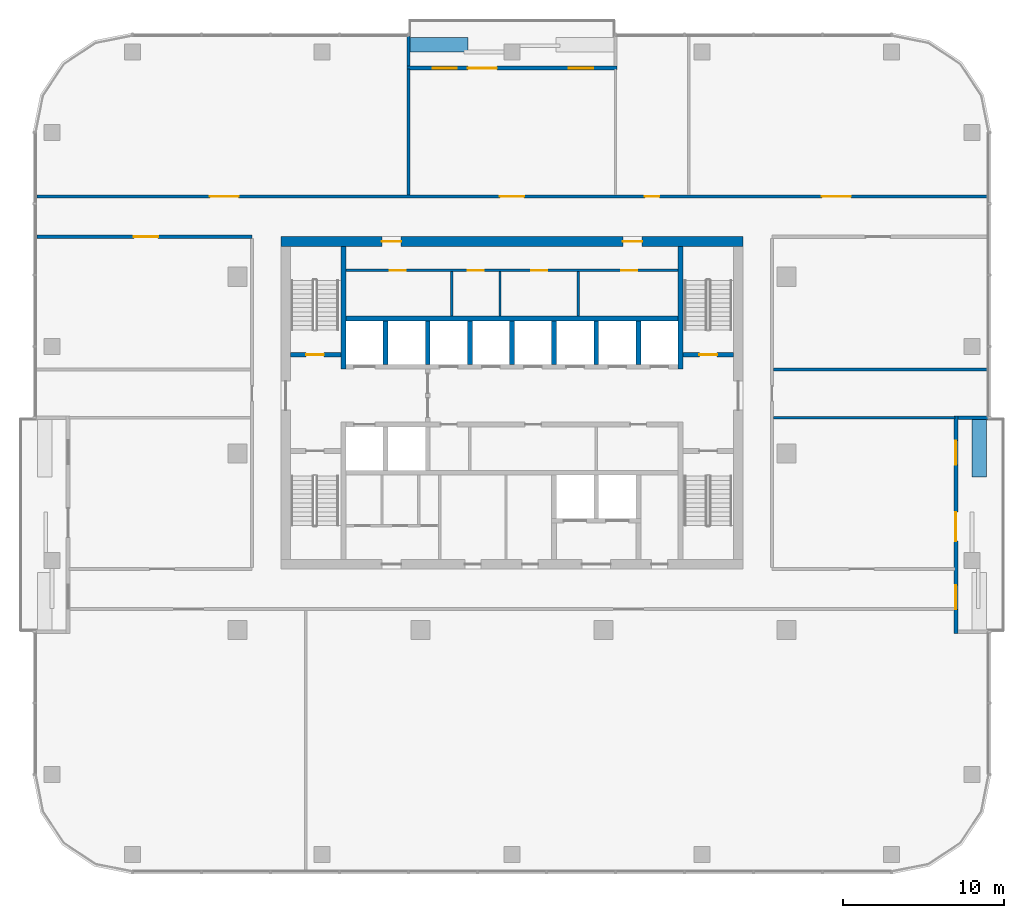
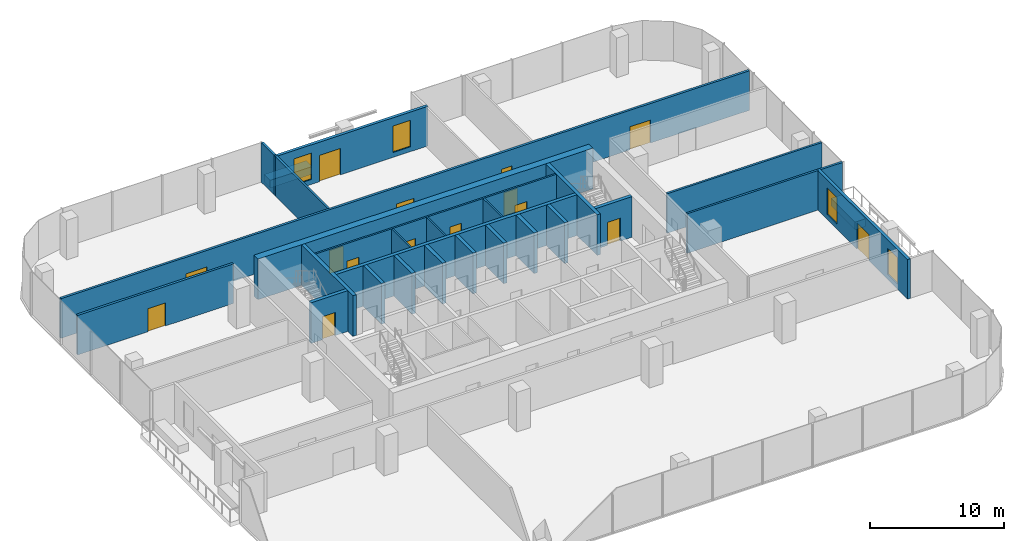
# One storey, part 9 of 13: 28 walls, 15 doors, 4 windows, 19 openings.
"""IFC4 building model written with IfcOpenShell, lengths in metres."""

from ifc_helpers import new_model, si_unit, direction, frame, frame_2d, origin, place, context, subcontext, project, spatial, rectangle, extrude, material, layer, layer_set, type_object, element, fill, save


model = new_model("IFC4")

# Units and contexts
model_context = context("Model", 3, precision=1e-05, world=origin(), true_north=direction((0.0, 1.0)))
body_context = subcontext(model_context, "Body", "Model", "MODEL_VIEW")
ifc_project = project(units=[si_unit("LENGTHUNIT", "METRE"), si_unit("AREAUNIT", "SQUARE_METRE"), si_unit("VOLUMEUNIT", "CUBIC_METRE"), si_unit("PLANEANGLEUNIT", "RADIAN"), si_unit("MASSUNIT", "GRAM", prefix="KILO")], contexts=[model_context])

# Site, building, storey
site_placement = place(None, origin())
site = spatial("IfcSite", under=ifc_project, at=site_placement, CompositionType="ELEMENT")
building_placement = place(site_placement, origin())
building = spatial("IfcBuilding", under=site, at=building_placement, Name="Mopane Tessera Tower", CompositionType="ELEMENT")
storey_placement = place(building_placement, frame((0.0, 0.0, 283.39990234375)))
storey = spatial("IfcBuildingStorey", under=building, at=storey_placement, Name="L61", CompositionType="ELEMENT", Elevation=283.39990234375)

# Walls
ifc_material_1 = material(Name="Fire-rated gypsum board partition")
ifc_layer_1 = layer(ifc_material_1, 0.14990234375)
ifc_layer_set_1 = layer_set([ifc_layer_1], Name="Fire-rated gypsum board partition")
wall_type_1 = type_object("IfcWallType", Name="Core room partition 150 mm", PredefinedType="PARTITIONING", material=ifc_layer_set_1)
for number, where, z_axis, x_axis, name in (
    (1, (-3.75, 8.550048828125, 0.0), (0.0, 0.0, 1.0), (0.0, 1.0, 0.0), "L61 Room partition"),
    (2, (-0.75, 8.550048828125, 0.0), (0.0, 0.0, 1.0), (0.0, 1.0, 0.0), "L61 Room partition"),
    (3, (4.125, 8.550048828125, 0.0), (0.0, 0.0, 1.0), (0.0, 1.0, 0.0), "L61 Room partition"),
):
    element("IfcWall", number, at=place(storey_placement, frame(where, z_axis=z_axis, x_axis=x_axis)), inside=storey, type_object=wall_type_1, Name=name, PredefinedType="PARTITIONING", context=body_context, shape_type="SweptSolid", body=[
        extrude(rectangle(XDim=2.77490234375, YDim=0.14990234375, at=frame_2d((1.387451171875, 0.0))), origin(), (0.0, 0.0, 1.0), 3.7001953125),
    ])

# Wall, openings, doors
wall_1_placement = place(storey_placement, frame((-10.35009765625, 11.39990234375, 0.0), z_axis=(0.0, 0.0, 1.0), x_axis=(1.0, 0.0, 0.0)))
wall_1 = element("IfcWall", 4, at=wall_1_placement, inside=storey, type_object=wall_type_1, Name="L61 Corridor wall", PredefinedType="PARTITIONING", context=body_context, shape_type="SweptSolid", body=[
    extrude(rectangle(XDim=20.7001953125, YDim=0.14990234375, at=frame_2d((10.35009765625, 0.0))), origin(), (0.0, 0.0, 1.0), 3.7001953125),
])
opening_1_placement = place(wall_1_placement, frame((2.72509765625, 0.0, 0.0)))
opening_1 = element("IfcOpeningElement", 5, at=opening_1_placement, cuts=wall_1, Name="Opening RD1", PredefinedType="OPENING", context=body_context, shape_type="SweptSolid", body=[
    extrude(rectangle(XDim=1.0, YDim=2.10009765625, at=frame_2d((0.5, 1.050048828125))), frame((0.0, 0.0869140625, 0.0), z_axis=(0.0, -1.0, 0.0), x_axis=(1.0, 0.0, 0.0)), (0.0, 0.0, 1.0), 0.173828125),
])
opening_2_placement = place(wall_1_placement, frame((7.60009765625, 0.0, 0.0)))
opening_2 = element("IfcOpeningElement", 6, at=opening_2_placement, cuts=wall_1, Name="Opening RD1", PredefinedType="OPENING", context=body_context, shape_type="SweptSolid", body=[
    extrude(rectangle(XDim=1.0, YDim=2.10009765625, at=frame_2d((0.5, 1.050048828125))), frame((0.0, 0.0869140625, 0.0), z_axis=(0.0, -1.0, 0.0), x_axis=(1.0, 0.0, 0.0)), (0.0, 0.0, 1.0), 0.173828125),
])
opening_3_placement = place(wall_1_placement, frame((11.53759765625, 0.0, 0.0)))
opening_3 = element("IfcOpeningElement", 7, at=opening_3_placement, cuts=wall_1, Name="Opening RD1", PredefinedType="OPENING", context=body_context, shape_type="SweptSolid", body=[
    extrude(rectangle(XDim=1.0, YDim=2.10009765625, at=frame_2d((0.5, 1.050048828125))), frame((0.0, 0.0869140625, 0.0), z_axis=(0.0, -1.0, 0.0), x_axis=(1.0, 0.0, 0.0)), (0.0, 0.0, 1.0), 0.173828125),
])
opening_4_placement = place(wall_1_placement, frame((17.16259765625, 0.0, 0.0)))
opening_4 = element("IfcOpeningElement", 8, at=opening_4_placement, cuts=wall_1, Name="Opening RD1", PredefinedType="OPENING", context=body_context, shape_type="SweptSolid", body=[
    extrude(rectangle(XDim=1.0, YDim=2.10009765625, at=frame_2d((0.5, 1.050048828125))), frame((0.0, 0.0869140625, 0.0), z_axis=(0.0, -1.0, 0.0), x_axis=(1.0, 0.0, 0.0)), (0.0, 0.0, 1.0), 0.173828125),
])
ifc_material_2 = material(Name="Timber door", Category="wood")
door_type_1 = type_object("IfcDoorType", Name="Core room door 1000 x 2100", OperationType="SINGLE_SWING_LEFT", PredefinedType="DOOR", material=ifc_material_2)
door_1_placement = place(opening_1_placement, origin())
door_1 = element("IfcDoor", 9, at=door_1_placement, inside=storey, type_object=door_type_1, Name="L61 Room door", OperationType="SINGLE_SWING_LEFT", OverallHeight=2.10009765625, OverallWidth=1.0, PredefinedType="DOOR", context=body_context, shape_type="SweptSolid", body=[
    extrude(rectangle(XDim=1.0, YDim=2.10009765625, at=frame_2d((0.5, 1.050048828125))), frame((0.0, 0.02490234375, 0.0), z_axis=(0.0, -1.0, 0.0), x_axis=(1.0, 0.0, 0.0)), (0.0, 0.0, 1.0), 0.050048828125),
])
fill(opening_1, door_1)
door_2_placement = place(opening_2_placement, origin())
door_2 = element("IfcDoor", 10, at=door_2_placement, inside=storey, type_object=door_type_1, Name="L61 Room door", OperationType="SINGLE_SWING_LEFT", OverallHeight=2.10009765625, OverallWidth=1.0, PredefinedType="DOOR", context=body_context, shape_type="SweptSolid", body=[
    extrude(rectangle(XDim=1.0, YDim=2.10009765625, at=frame_2d((0.5, 1.050048828125))), frame((0.0, 0.02490234375, 0.0), z_axis=(0.0, -1.0, 0.0), x_axis=(1.0, 0.0, 0.0)), (0.0, 0.0, 1.0), 0.050048828125),
])
fill(opening_2, door_2)
door_3_placement = place(opening_3_placement, origin())
door_3 = element("IfcDoor", 11, at=door_3_placement, inside=storey, type_object=door_type_1, Name="L61 Room door", OperationType="SINGLE_SWING_LEFT", OverallHeight=2.10009765625, OverallWidth=1.0, PredefinedType="DOOR", context=body_context, shape_type="SweptSolid", body=[
    extrude(rectangle(XDim=1.0, YDim=2.10009765625, at=frame_2d((0.5, 1.050048828125))), frame((0.0, 0.02490234375, 0.0), z_axis=(0.0, -1.0, 0.0), x_axis=(1.0, 0.0, 0.0)), (0.0, 0.0, 1.0), 0.050048828125),
])
fill(opening_3, door_3)
door_4_placement = place(opening_4_placement, origin())
door_4 = element("IfcDoor", 12, at=door_4_placement, inside=storey, type_object=door_type_1, Name="L61 Room door", OperationType="SINGLE_SWING_LEFT", OverallHeight=2.10009765625, OverallWidth=1.0, PredefinedType="DOOR", context=body_context, shape_type="SweptSolid", body=[
    extrude(rectangle(XDim=1.0, YDim=2.10009765625, at=frame_2d((0.5, 1.050048828125))), frame((0.0, 0.02490234375, 0.0), z_axis=(0.0, -1.0, 0.0), x_axis=(1.0, 0.0, 0.0)), (0.0, 0.0, 1.0), 0.050048828125),
])
fill(opening_4, door_4)

ifc_material_3 = material(Name="Concrete C70/85", Category="concrete")
ifc_layer_2 = layer(ifc_material_3, 0.60009765625)
ifc_layer_set_2 = layer_set([ifc_layer_2], Name="Concrete C70/85")
wall_type_2 = type_object("IfcWallType", Name="Core shear wall 600 mm", PredefinedType="SHEAR", material=ifc_layer_set_2)
wall_2_placement = place(storey_placement, frame((-14.39990234375, 13.199951171875, 0.0), z_axis=(0.0, 0.0, 1.0), x_axis=(1.0, 0.0, 0.0)))
wall_2 = element("IfcWall", 13, at=wall_2_placement, inside=storey, type_object=wall_type_2, Name="L61 Core wall north", PredefinedType="SHEAR", context=body_context, shape_type="SweptSolid", body=[
    extrude(rectangle(XDim=28.7998046875, YDim=0.60009765625, at=frame_2d((14.39990234375, 0.0))), origin(), (0.0, 0.0, 1.0), 3.7001953125),
])
opening_5_placement = place(wall_2_placement, frame((6.300048828125, 0.0, 0.0)))
opening_5 = element("IfcOpeningElement", 14, at=opening_5_placement, cuts=wall_2, Name="Opening RD2", PredefinedType="OPENING", context=body_context, shape_type="SweptSolid", body=[
    extrude(rectangle(XDim=1.199951171875, YDim=2.10009765625, at=frame_2d((0.60009765625, 1.050048828125))), frame((0.0, 0.31201171875, 0.0), z_axis=(0.0, -1.0, 0.0), x_axis=(1.0, 0.0, 0.0)), (0.0, 0.0, 1.0), 0.6240234375),
])
opening_6_placement = place(wall_2_placement, frame((21.300048828125, 0.0, 0.0)))
opening_6 = element("IfcOpeningElement", 15, at=opening_6_placement, cuts=wall_2, Name="Opening RD2", PredefinedType="OPENING", context=body_context, shape_type="SweptSolid", body=[
    extrude(rectangle(XDim=1.199951171875, YDim=2.10009765625, at=frame_2d((0.60009765625, 1.050048828125))), frame((0.0, 0.31201171875, 0.0), z_axis=(0.0, -1.0, 0.0), x_axis=(1.0, 0.0, 0.0)), (0.0, 0.0, 1.0), 0.6240234375),
])
ifc_material_4 = material(Name="Timber door", Category="wood")
door_type_2 = type_object("IfcDoorType", Name="Core corridor door 1200 x 2100", OperationType="SINGLE_SWING_LEFT", PredefinedType="DOOR", material=ifc_material_4)
door_5_placement = place(opening_5_placement, origin())
door_5 = element("IfcDoor", 16, at=door_5_placement, inside=storey, type_object=door_type_2, Name="L61 Corridor door", OperationType="SINGLE_SWING_LEFT", OverallHeight=2.10009765625, OverallWidth=1.199951171875, PredefinedType="DOOR", context=body_context, shape_type="SweptSolid", body=[
    extrude(rectangle(XDim=1.199951171875, YDim=2.10009765625, at=frame_2d((0.60009765625, 1.050048828125))), frame((0.0, 0.02490234375, 0.0), z_axis=(0.0, -1.0, 0.0), x_axis=(1.0, 0.0, 0.0)), (0.0, 0.0, 1.0), 0.050048828125),
])
fill(opening_5, door_5)
door_6_placement = place(opening_6_placement, origin())
door_6 = element("IfcDoor", 17, at=door_6_placement, inside=storey, type_object=door_type_2, Name="L61 Corridor door", OperationType="SINGLE_SWING_RIGHT", OverallHeight=2.10009765625, OverallWidth=1.199951171875, PredefinedType="DOOR", context=body_context, shape_type="SweptSolid", body=[
    extrude(rectangle(XDim=1.199951171875, YDim=2.10009765625, at=frame_2d((0.60009765625, 1.050048828125))), frame((0.0, 0.02490234375, 0.0), z_axis=(0.0, -1.0, 0.0), x_axis=(1.0, 0.0, 0.0)), (0.0, 0.0, 1.0), 0.050048828125),
])
fill(opening_6, door_6)

# Walls
ifc_material_5 = material(Name="Concrete C60/75", Category="concrete")
ifc_layer_3 = layer(ifc_material_5, 0.300048828125)
ifc_layer_set_3 = layer_set([ifc_layer_3], Name="Concrete C60/75")
wall_type_3 = type_object("IfcWallType", Name="Core spine wall 300 mm", PredefinedType="SHEAR", material=ifc_layer_set_3)
for number, where, z_axis, x_axis, name in (
    (18, (-10.5, 5.25, 0.0), (0.0, 0.0, 1.0), (0.0, 1.0, 0.0), "L61 Core spine wall"),
    (19, (10.5, 5.25, 0.0), (0.0, 0.0, 1.0), (0.0, 1.0, 0.0), "L61 Core spine wall"),
):
    element("IfcWall", number, at=place(storey_placement, frame(where, z_axis=z_axis, x_axis=x_axis)), inside=storey, type_object=wall_type_3, Name=name, PredefinedType="SHEAR", context=body_context, shape_type="SweptSolid", body=[
        extrude(rectangle(XDim=7.64990234375, YDim=0.300048828125, at=frame_2d((3.824951171875, 0.0))), origin(), (0.0, 0.0, 1.0), 3.7001953125),
    ])
ifc_material_6 = material(Name="Gypsum board on staggered steel studs, double layer each face, acoustic mineral wool infill", Category="steel")
ifc_layer_4 = layer(ifc_material_6, 0.175048828125)
ifc_layer_set_4 = layer_set([ifc_layer_4], Name="Gypsum board on staggered steel studs, double layer each face, acoustic mineral wool infill")
wall_type_4 = type_object("IfcWallType", Name="Gypsum board acoustic partition 175, rated EI 60", PredefinedType="PARTITIONING", material=ifc_layer_set_4)
wall_3_placement = place(storey_placement, frame((16.300048828125, 2.219970703125, 0.0), z_axis=(0.0, 0.0, 1.0), x_axis=(1.0, 0.0, 0.0)))
element("IfcWall", 20, at=wall_3_placement, inside=storey, type_object=wall_type_4, Name="Partition L61:004", PredefinedType="PARTITIONING", context=body_context, shape_type="SweptSolid", body=[
    extrude(rectangle(XDim=11.300048828125, YDim=0.175048828125, at=frame_2d((5.64990234375, 0.0))), origin(), (0.0, 0.0, 1.0), 3.60009765625),
])
wall_4_placement = place(storey_placement, frame((16.300048828125, 5.219970703125, 0.0), z_axis=(0.0, 0.0, 1.0), x_axis=(1.0, 0.0, 0.0)))
element("IfcWall", 21, at=wall_4_placement, inside=storey, type_object=wall_type_4, Name="Partition L61:006", PredefinedType="PARTITIONING", context=body_context, shape_type="SweptSolid", body=[
    extrude(rectangle(XDim=13.300048828125, YDim=0.175048828125, at=frame_2d((6.64990234375, 0.0))), origin(), (0.0, 0.0, 1.0), 3.60009765625),
])
wall_5_placement = place(storey_placement, frame((-6.449951171875, 16.10009765625, 0.0), z_axis=(0.0, 0.0, 1.0), x_axis=(0.0, 1.0, 0.0)))
element("IfcWall", 22, at=wall_5_placement, inside=storey, type_object=wall_type_4, Name="Partition L61:012", PredefinedType="PARTITIONING", context=body_context, shape_type="SweptSolid", body=[
    extrude(rectangle(XDim=7.849853515625, YDim=0.175048828125, at=frame_2d((3.9248046875, 0.0))), origin(), (0.0, 0.0, 1.0), 3.60009765625),
])

# Wall, opening, door
ifc_material_7 = material(Name="Gypsum board on steel studs, two layers each face, mineral wool infill", Category="steel")
ifc_layer_5 = layer(ifc_material_7, 0.199951171875)
ifc_layer_set_5 = layer_set([ifc_layer_5], Name="Gypsum board on steel studs, two layers each face, mineral wool infill")
wall_type_5 = type_object("IfcWallType", Name="Gypsum board corridor wall 200, rated EI 60", PredefinedType="PARTITIONING", material=ifc_layer_set_5)
wall_6_placement = place(storey_placement, frame((-29.60009765625, 13.5, 0.0), z_axis=(0.0, 0.0, 1.0), x_axis=(1.0, 0.0, 0.0)))
wall_6 = element("IfcWall", 23, at=wall_6_placement, inside=storey, type_object=wall_type_5, Name="Partition L61:007", PredefinedType="PARTITIONING", context=body_context, shape_type="SweptSolid", body=[
    extrude(rectangle(XDim=13.400146484375, YDim=0.199951171875, at=frame_2d((6.7001953125, 0.0))), origin(), (0.0, 0.0, 1.0), 3.60009765625),
])
opening_7_placement = place(wall_6_placement, frame((6.050048828125, 0.0, 0.0)))
opening_7 = element("IfcOpeningElement", 24, at=opening_7_placement, cuts=wall_6, Name="Opening L61-01", PredefinedType="OPENING", context=body_context, shape_type="SweptSolid", body=[
    extrude(rectangle(XDim=1.5, YDim=2.10009765625, at=frame_2d((0.75, 1.050048828125))), frame((0.0, 0.112060546875, 0.0), z_axis=(0.0, -1.0, 0.0), x_axis=(1.0, 0.0, 0.0)), (0.0, 0.0, 1.0), 0.223876953125),
])
ifc_material_8 = material(Name="Timber veneered steel-framed fire door", Category="steel")
door_type_3 = type_object("IfcDoorType", Name="Fire door pair FD60 1500 x 2100", OperationType="DOUBLE_DOOR_SINGLE_SWING", PredefinedType="DOOR", material=ifc_material_8)
door_7_placement = place(opening_7_placement, origin())
door_7 = element("IfcDoor", 25, at=door_7_placement, inside=storey, type_object=door_type_3, Name="Door L61-01", ObjectType="D17A", OperationType="DOUBLE_DOOR_SINGLE_SWING", OverallHeight=2.10009765625, OverallWidth=1.5, PredefinedType="DOOR", context=body_context, shape_type="SweptSolid", body=[
    extrude(rectangle(XDim=1.5, YDim=2.10009765625, at=frame_2d((0.75, 1.050048828125))), frame((0.0, 0.02490234375, 0.0), z_axis=(0.0, -1.0, 0.0), x_axis=(1.0, 0.0, 0.0)), (0.0, 0.0, 1.0), 0.050048828125),
])
fill(opening_7, door_7)

# Wall, openings, doors
wall_7_placement = place(storey_placement, frame((-29.60009765625, 16.0, 0.0), z_axis=(0.0, 0.0, 1.0), x_axis=(1.0, 0.0, 0.0)))
wall_7 = element("IfcWall", 26, at=wall_7_placement, inside=storey, type_object=wall_type_5, Name="Partition L61:009", PredefinedType="PARTITIONING", context=body_context, shape_type="SweptSolid", body=[
    extrude(rectangle(XDim=59.2001953125, YDim=0.199951171875, at=frame_2d((29.60009765625, 0.0))), origin(), (0.0, 0.0, 1.0), 3.60009765625),
])
opening_8_placement = place(wall_7_placement, frame((48.905029296875, 0.0, 0.0)))
opening_8 = element("IfcOpeningElement", 27, at=opening_8_placement, cuts=wall_7, Name="Opening L61-02", PredefinedType="OPENING", context=body_context, shape_type="SweptSolid", body=[
    extrude(rectangle(XDim=1.800048828125, YDim=2.10009765625, at=frame_2d((0.89990234375, 1.050048828125))), frame((0.0, 0.112060546875, 0.0), z_axis=(0.0, -1.0, 0.0), x_axis=(1.0, 0.0, 0.0)), (0.0, 0.0, 1.0), 0.223876953125),
])
opening_9_placement = place(wall_7_placement, frame((37.8798828125, 0.0, 0.0)))
opening_9 = element("IfcOpeningElement", 28, at=opening_9_placement, cuts=wall_7, Name="Opening L61-04", PredefinedType="OPENING", context=body_context, shape_type="SweptSolid", body=[
    extrude(rectangle(XDim=0.89990234375, YDim=2.10009765625, at=frame_2d((0.449951171875, 1.050048828125))), frame((0.0, 0.112060546875, 0.0), z_axis=(0.0, -1.0, 0.0), x_axis=(1.0, 0.0, 0.0)), (0.0, 0.0, 1.0), 0.223876953125),
])
opening_10_placement = place(wall_7_placement, frame((10.77490234375, 0.0, 0.0)))
opening_10 = element("IfcOpeningElement", 29, at=opening_10_placement, cuts=wall_7, Name="Opening L61-07", PredefinedType="OPENING", context=body_context, shape_type="SweptSolid", body=[
    extrude(rectangle(XDim=1.800048828125, YDim=2.10009765625, at=frame_2d((0.89990234375, 1.050048828125))), frame((0.0, 0.112060546875, 0.0), z_axis=(0.0, -1.0, 0.0), x_axis=(1.0, 0.0, 0.0)), (0.0, 0.0, 1.0), 0.223876953125),
])
opening_11_placement = place(wall_7_placement, frame((28.85009765625, 0.0, 0.0)))
opening_11 = element("IfcOpeningElement", 30, at=opening_11_placement, cuts=wall_7, Name="Opening L61-11", PredefinedType="OPENING", context=body_context, shape_type="SweptSolid", body=[
    extrude(rectangle(XDim=1.5, YDim=2.10009765625, at=frame_2d((0.75, 1.050048828125))), frame((0.0, 0.112060546875, 0.0), z_axis=(0.0, -1.0, 0.0), x_axis=(1.0, 0.0, 0.0)), (0.0, 0.0, 1.0), 0.223876953125),
])
ifc_material_9 = material(Name="Timber veneered steel-framed fire door", Category="steel")
door_type_4 = type_object("IfcDoorType", Name="Fire door FD60 900 x 2100", OperationType="SINGLE_SWING_LEFT", PredefinedType="DOOR", material=ifc_material_9)
door_8_placement = place(opening_9_placement, origin())
door_8 = element("IfcDoor", 31, at=door_8_placement, inside=storey, type_object=door_type_4, Name="Door L61-04", ObjectType="D10A", OperationType="SINGLE_SWING_LEFT", OverallHeight=2.10009765625, OverallWidth=0.89990234375, PredefinedType="DOOR", context=body_context, shape_type="SweptSolid", body=[
    extrude(rectangle(XDim=0.89990234375, YDim=2.10009765625, at=frame_2d((0.449951171875, 1.050048828125))), frame((0.0, 0.02490234375, 0.0), z_axis=(0.0, -1.0, 0.0), x_axis=(1.0, 0.0, 0.0)), (0.0, 0.0, 1.0), 0.050048828125),
])
fill(opening_9, door_8)
door_9_placement = place(opening_11_placement, origin())
door_9 = element("IfcDoor", 32, at=door_9_placement, inside=storey, type_object=door_type_3, Name="Door L61-11", ObjectType="D17A", OperationType="DOUBLE_DOOR_SINGLE_SWING", OverallHeight=2.10009765625, OverallWidth=1.5, PredefinedType="DOOR", context=body_context, shape_type="SweptSolid", body=[
    extrude(rectangle(XDim=1.5, YDim=2.10009765625, at=frame_2d((0.75, 1.050048828125))), frame((0.0, 0.02490234375, 0.0), z_axis=(0.0, -1.0, 0.0), x_axis=(1.0, 0.0, 0.0)), (0.0, 0.0, 1.0), 0.050048828125),
])
fill(opening_11, door_9)
ifc_material_10 = material(Name="Timber veneered steel-framed fire door", Category="steel")
door_type_5 = type_object("IfcDoorType", Name="Fire door pair FD60 1800 x 2100", OperationType="DOUBLE_DOOR_SINGLE_SWING", PredefinedType="DOOR", material=ifc_material_10)
door_10_placement = place(opening_8_placement, origin())
door_10 = element("IfcDoor", 33, at=door_10_placement, inside=storey, type_object=door_type_5, Name="Door L61-02", ObjectType="D20A", OperationType="DOUBLE_DOOR_SINGLE_SWING", OverallHeight=2.10009765625, OverallWidth=1.800048828125, PredefinedType="DOOR", context=body_context, shape_type="SweptSolid", body=[
    extrude(rectangle(XDim=1.800048828125, YDim=2.10009765625, at=frame_2d((0.89990234375, 1.050048828125))), frame((0.0, 0.02490234375, 0.0), z_axis=(0.0, -1.0, 0.0), x_axis=(1.0, 0.0, 0.0)), (0.0, 0.0, 1.0), 0.050048828125),
])
fill(opening_8, door_10)
door_11_placement = place(opening_10_placement, origin())
door_11 = element("IfcDoor", 34, at=door_11_placement, inside=storey, type_object=door_type_5, Name="Door L61-07", ObjectType="D20A", OperationType="DOUBLE_DOOR_SINGLE_SWING", OverallHeight=2.10009765625, OverallWidth=1.800048828125, PredefinedType="DOOR", context=body_context, shape_type="SweptSolid", body=[
    extrude(rectangle(XDim=1.800048828125, YDim=2.10009765625, at=frame_2d((0.89990234375, 1.050048828125))), frame((0.0, 0.02490234375, 0.0), z_axis=(0.0, -1.0, 0.0), x_axis=(1.0, 0.0, 0.0)), (0.0, 0.0, 1.0), 0.050048828125),
])
fill(opening_10, door_11)

# Wall, opening, door
ifc_material_11 = material(Name="Concrete C50/60", Category="concrete")
ifc_layer_6 = layer(ifc_material_11, 0.300048828125)
ifc_layer_set_6 = layer_set([ifc_layer_6], Name="Concrete C50/60")
wall_type_6 = type_object("IfcWallType", Name="Lift and stair shaft wall 300 mm", PredefinedType="SOLIDWALL", material=ifc_layer_set_6)
wall_8_placement = place(storey_placement, frame((-13.800048828125, 6.14990234375, 0.0), z_axis=(0.0, 0.0, 1.0), x_axis=(1.0, 0.0, 0.0)))
wall_8 = element("IfcWall", 35, at=wall_8_placement, inside=storey, type_object=wall_type_6, Name="L61 Stair enclosure wall", PredefinedType="SOLIDWALL", context=body_context, shape_type="SweptSolid", body=[
    extrude(rectangle(XDim=3.150146484375, YDim=0.300048828125, at=frame_2d((1.5751953125, 0.0))), origin(), (0.0, 0.0, 1.0), 3.7001953125),
])
opening_12_placement = place(wall_8_placement, frame((0.97509765625, 0.0, 0.0)))
opening_12 = element("IfcOpeningElement", 36, at=opening_12_placement, cuts=wall_8, Name="Opening SD1", PredefinedType="OPENING", context=body_context, shape_type="SweptSolid", body=[
    extrude(rectangle(XDim=1.10009765625, YDim=2.10009765625, at=frame_2d((0.550048828125, 1.050048828125))), frame((0.0, 0.162109375, 0.0), z_axis=(0.0, -1.0, 0.0), x_axis=(1.0, 0.0, 0.0)), (0.0, 0.0, 1.0), 0.323974609375),
])
ifc_material_12 = material(Name="Steel fire door", Category="steel")
door_type_6 = type_object("IfcDoorType", Name="Stair fire door 1100 x 2100", OperationType="SINGLE_SWING_LEFT", PredefinedType="DOOR", material=ifc_material_12)
door_12_placement = place(opening_12_placement, origin())
door_12 = element("IfcDoor", 37, at=door_12_placement, inside=storey, type_object=door_type_6, Name="L61 Stair door ST2", OperationType="SINGLE_SWING_LEFT", OverallHeight=2.10009765625, OverallWidth=1.10009765625, PredefinedType="DOOR", context=body_context, shape_type="SweptSolid", body=[
    extrude(rectangle(XDim=1.10009765625, YDim=2.10009765625, at=frame_2d((0.550048828125, 1.050048828125))), frame((0.0, 0.02490234375, 0.0), z_axis=(0.0, -1.0, 0.0), x_axis=(1.0, 0.0, 0.0)), (0.0, 0.0, 1.0), 0.050048828125),
])
fill(opening_12, door_12)

wall_9_placement = place(storey_placement, frame((10.64990234375, 6.14990234375, 0.0), z_axis=(0.0, 0.0, 1.0), x_axis=(1.0, 0.0, 0.0)))
wall_9 = element("IfcWall", 38, at=wall_9_placement, inside=storey, type_object=wall_type_6, Name="L61 Stair enclosure wall", PredefinedType="SOLIDWALL", context=body_context, shape_type="SweptSolid", body=[
    extrude(rectangle(XDim=3.150146484375, YDim=0.300048828125, at=frame_2d((1.5751953125, 0.0))), origin(), (0.0, 0.0, 1.0), 3.7001953125),
])
opening_13_placement = place(wall_9_placement, frame((1.02490234375, 0.0, 0.0)))
opening_13 = element("IfcOpeningElement", 39, at=opening_13_placement, cuts=wall_9, Name="Opening SD1", PredefinedType="OPENING", context=body_context, shape_type="SweptSolid", body=[
    extrude(rectangle(XDim=1.10009765625, YDim=2.10009765625, at=frame_2d((0.550048828125, 1.050048828125))), frame((0.0, 0.162109375, 0.0), z_axis=(0.0, -1.0, 0.0), x_axis=(1.0, 0.0, 0.0)), (0.0, 0.0, 1.0), 0.323974609375),
])
door_13_placement = place(opening_13_placement, origin())
door_13 = element("IfcDoor", 40, at=door_13_placement, inside=storey, type_object=door_type_6, Name="L61 Stair door ST4", OperationType="SINGLE_SWING_RIGHT", OverallHeight=2.10009765625, OverallWidth=1.10009765625, PredefinedType="DOOR", context=body_context, shape_type="SweptSolid", body=[
    extrude(rectangle(XDim=1.10009765625, YDim=2.10009765625, at=frame_2d((0.550048828125, 1.050048828125))), frame((0.0, 0.02490234375, 0.0), z_axis=(0.0, -1.0, 0.0), x_axis=(1.0, 0.0, 0.0)), (0.0, 0.0, 1.0), 0.050048828125),
])
fill(opening_13, door_13)

# Walls
wall_10_placement = place(storey_placement, frame((-10.35009765625, 8.39990234375, 0.0), z_axis=(0.0, 0.0, 1.0), x_axis=(1.0, 0.0, 0.0)))
element("IfcWall", 41, at=wall_10_placement, inside=storey, type_object=wall_type_6, Name="L61 Lift shaft rear wall", PredefinedType="SOLIDWALL", context=body_context, shape_type="SweptSolid", body=[
    extrude(rectangle(XDim=20.7001953125, YDim=0.300048828125, at=frame_2d((10.35009765625, 0.0))), origin(), (0.0, 0.0, 1.0), 3.7001953125),
])
for number, where, z_axis, x_axis, name in (
    (42, (-7.875, 5.550048828125, 0.0), (0.0, 0.0, 1.0), (0.0, 1.0, 0.0), "L61 Lift shaft wall"),
    (43, (-5.25, 5.550048828125, 0.0), (0.0, 0.0, 1.0), (0.0, 1.0, 0.0), "L61 Lift shaft wall"),
    (44, (-2.625, 5.550048828125, 0.0), (0.0, 0.0, 1.0), (0.0, 1.0, 0.0), "L61 Lift shaft wall"),
    (45, (0.0, 5.550048828125, 0.0), (0.0, 0.0, 1.0), (0.0, 1.0, 0.0), "L61 Lift shaft wall"),
    (46, (2.625, 5.550048828125, 0.0), (0.0, 0.0, 1.0), (0.0, 1.0, 0.0), "L61 Lift shaft wall"),
    (47, (5.25, 5.550048828125, 0.0), (0.0, 0.0, 1.0), (0.0, 1.0, 0.0), "L61 Lift shaft wall"),
    (48, (7.875, 5.550048828125, 0.0), (0.0, 0.0, 1.0), (0.0, 1.0, 0.0), "L61 Lift shaft wall"),
):
    element("IfcWall", number, at=place(storey_placement, frame(where, z_axis=z_axis, x_axis=x_axis)), inside=storey, type_object=wall_type_6, Name=name, PredefinedType="SOLIDWALL", context=body_context, shape_type="SweptSolid", body=[
        extrude(rectangle(XDim=2.699951171875, YDim=0.300048828125, at=frame_2d((1.35009765625, 0.0))), origin(), (0.0, 0.0, 1.0), 3.7001953125),
    ])
ifc_material_13 = material(Name="Reinforced concrete C32/40 with waterproofing", Category="concrete")
ifc_layer_7 = layer(ifc_material_13, 0.89990234375)
ifc_layer_set_7 = layer_set([ifc_layer_7], Name="Reinforced concrete C32/40 with waterproofing")
wall_type_7 = type_object("IfcWallType", Name="Planter trough 3600 x 900", PredefinedType="STANDARD", material=ifc_layer_set_7)
for number, where, z_axis, x_axis, name in (
    (49, (29.10009765625, -1.477783203125, 0.0), (0.0, 0.0, 1.0), (0.0, 1.0, 0.0), "e:nw:L61:N1:pl1"),
    (50, (-2.75, 25.449951171875, 0.0), (0.0, 0.0, 1.0), (-1.0, 0.0, 0.0), "e:nw:L61:N2:pl1"),
):
    element("IfcWall", number, at=place(storey_placement, frame(where, z_axis=z_axis, x_axis=x_axis)), inside=storey, type_object=wall_type_7, Name=name, PredefinedType="STANDARD", context=body_context, shape_type="SweptSolid", body=[
        extrude(rectangle(XDim=3.60009765625, YDim=0.89990234375, at=frame_2d((1.800048828125, 0.0))), origin(), (0.0, 0.0, 1.0), 0.7001953125),
    ])
ifc_material_14 = material(Name="Blockwork with glazed tile facing", Category="masonry")
ifc_layer_8 = layer(ifc_material_14, 0.199951171875)
ifc_layer_set_8 = layer_set([ifc_layer_8], Name="Blockwork with glazed tile facing")
wall_type_8 = type_object("IfcWallType", Name="Terrace cheek wall 200", PredefinedType="STANDARD", material=ifc_layer_set_8)
for number, where, z_axis, x_axis, name in (
    (51, (29.64990234375, 2.22216796875, 0.0), (0.0, 0.0, 1.0), (-1.0, 0.0, 0.0), "e:nw:L61:N1:cheekb"),
    (52, (-6.449951171875, 26.0, 0.0), (0.0, 0.0, 1.0), (0.0, -1.0, 0.0), "e:nw:L61:N2:cheekb"),
):
    element("IfcWall", number, at=place(storey_placement, frame(where, z_axis=z_axis, x_axis=x_axis)), inside=storey, type_object=wall_type_8, Name=name, PredefinedType="STANDARD", context=body_context, shape_type="SweptSolid", body=[
        extrude(rectangle(XDim=1.875, YDim=0.199951171875, at=frame_2d((0.9375, 0.0))), origin(), (0.0, 0.0, 1.0), 3.60009765625),
    ])

# Wall, openings, windows, door
ifc_material_15 = material(Name="Blockwork with turquoise glazed tile facing", Category="masonry")
ifc_layer_9 = layer(ifc_material_15, 0.25)
ifc_layer_set_9 = layer_set([ifc_layer_9], Name="Blockwork with turquoise glazed tile facing")
wall_type_9 = type_object("IfcWallType", Name="Tile-clad external wall 250, turquoise", PredefinedType="STANDARD", material=ifc_layer_set_9)
wall_11_placement = place(storey_placement, frame((27.64990234375, -11.211181640625, 0.0), z_axis=(0.0, 0.0, 1.0), x_axis=(0.0, 1.0, 0.0)))
wall_11 = element("IfcWall", 53, at=wall_11_placement, inside=storey, type_object=wall_type_9, Name="e:nw:L61:N1:back", PredefinedType="STANDARD", context=body_context, shape_type="SweptSolid", body=[
    extrude(rectangle(XDim=13.533447265625, YDim=0.25, at=frame_2d((6.7666015625, 0.0))), origin(), (0.0, 0.0, 1.0), 3.60009765625),
])
opening_14_placement = place(wall_11_placement, frame((1.5, 0.0, 0.449951171875)))
opening_14 = element("IfcOpeningElement", 54, at=opening_14_placement, cuts=wall_11, Name="Opening NW611A", PredefinedType="OPENING", context=body_context, shape_type="SweptSolid", body=[
    extrude(rectangle(XDim=1.5, YDim=2.39990234375, at=frame_2d((0.75, 1.199951171875))), frame((0.0, 0.136962890625, 0.0), z_axis=(0.0, -1.0, 0.0), x_axis=(1.0, 0.0, 0.0)), (0.0, 0.0, 1.0), 0.27392578125),
])
opening_15_placement = place(wall_11_placement, frame((5.75, 0.0, 0.0)))
opening_15 = element("IfcOpeningElement", 55, at=opening_15_placement, cuts=wall_11, Name="Opening ND611", PredefinedType="OPENING", context=body_context, shape_type="SweptSolid", body=[
    extrude(rectangle(XDim=1.800048828125, YDim=2.39990234375, at=frame_2d((0.89990234375, 1.199951171875))), frame((0.0, 0.136962890625, 0.0), z_axis=(0.0, -1.0, 0.0), x_axis=(1.0, 0.0, 0.0)), (0.0, 0.0, 1.0), 0.27392578125),
])
opening_16_placement = place(wall_11_placement, frame((10.5, 0.0, 0.449951171875)))
opening_16 = element("IfcOpeningElement", 56, at=opening_16_placement, cuts=wall_11, Name="Opening NW611B", PredefinedType="OPENING", context=body_context, shape_type="SweptSolid", body=[
    extrude(rectangle(XDim=1.5, YDim=2.39990234375, at=frame_2d((0.75, 1.199951171875))), frame((0.0, 0.136962890625, 0.0), z_axis=(0.0, -1.0, 0.0), x_axis=(1.0, 0.0, 0.0)), (0.0, 0.0, 1.0), 0.27392578125),
])
ifc_material_16 = material(Name="Clear laminated glass", Category="glass")
window_type = type_object("IfcWindowType", Name="Fixed window 1500 x 2400", PartitioningType="SINGLE_PANEL", PredefinedType="WINDOW", material=ifc_material_16)
window_1_placement = place(opening_14_placement, origin())
window_1 = element("IfcWindow", 57, at=window_1_placement, inside=storey, type_object=window_type, Name="e:nw:L61:N1:win0", OverallHeight=2.39990234375, OverallWidth=1.5, PartitioningType="SINGLE_PANEL", PredefinedType="WINDOW", context=body_context, shape_type="SweptSolid", body=[
    extrude(rectangle(XDim=1.5, YDim=2.39990234375, at=frame_2d((0.75, 1.199951171875))), frame((0.0, 0.030029296875, 0.0), z_axis=(0.0, -1.0, 0.0), x_axis=(1.0, 0.0, 0.0)), (0.0, 0.0, 1.0), 0.06005859375),
])
fill(opening_14, window_1)
window_2_placement = place(opening_16_placement, origin())
window_2 = element("IfcWindow", 58, at=window_2_placement, inside=storey, type_object=window_type, Name="e:nw:L61:N1:win2", OverallHeight=2.39990234375, OverallWidth=1.5, PartitioningType="SINGLE_PANEL", PredefinedType="WINDOW", context=body_context, shape_type="SweptSolid", body=[
    extrude(rectangle(XDim=1.5, YDim=2.39990234375, at=frame_2d((0.75, 1.199951171875))), frame((0.0, 0.030029296875, 0.0), z_axis=(0.0, -1.0, 0.0), x_axis=(1.0, 0.0, 0.0)), (0.0, 0.0, 1.0), 0.06005859375),
])
fill(opening_16, window_2)
ifc_material_17 = material(Name="Aluminium and clear glass", Category="aluminium")
door_type_7 = type_object("IfcDoorType", Name="Terrace double door 1800 x 2400", OperationType="DOUBLE_DOOR_SINGLE_SWING", PredefinedType="DOOR", material=ifc_material_17)
door_14_placement = place(opening_15_placement, origin())
door_14 = element("IfcDoor", 59, at=door_14_placement, inside=storey, type_object=door_type_7, Name="e:nw:L61:N1:door", ObjectType="D1", OperationType="DOUBLE_DOOR_SINGLE_SWING", OverallHeight=2.39990234375, OverallWidth=1.800048828125, PredefinedType="DOOR", context=body_context, shape_type="SweptSolid", body=[
    extrude(rectangle(XDim=1.800048828125, YDim=2.39990234375, at=frame_2d((0.89990234375, 1.199951171875))), frame((0.0, 0.02490234375, 0.0), z_axis=(0.0, -1.0, 0.0), x_axis=(1.0, 0.0, 0.0)), (0.0, 0.0, 1.0), 0.050048828125),
])
fill(opening_15, door_14)

wall_12_placement = place(storey_placement, frame((6.550048828125, 24.0, 0.0), z_axis=(0.0, 0.0, 1.0), x_axis=(-1.0, 0.0, 0.0)))
wall_12 = element("IfcWall", 60, at=wall_12_placement, inside=storey, type_object=wall_type_9, Name="e:nw:L61:N2:back", PredefinedType="STANDARD", context=body_context, shape_type="SweptSolid", body=[
    extrude(rectangle(XDim=13.10009765625, YDim=0.25, at=frame_2d((6.550048828125, 0.0))), origin(), (0.0, 0.0, 1.0), 3.60009765625),
])
opening_17_placement = place(wall_12_placement, frame((1.5, 0.0, 0.449951171875)))
opening_17 = element("IfcOpeningElement", 61, at=opening_17_placement, cuts=wall_12, Name="Opening NW612A", PredefinedType="OPENING", context=body_context, shape_type="SweptSolid", body=[
    extrude(rectangle(XDim=1.5, YDim=2.39990234375, at=frame_2d((0.75, 1.199951171875))), frame((0.0, 0.136962890625, 0.0), z_axis=(0.0, -1.0, 0.0), x_axis=(1.0, 0.0, 0.0)), (0.0, 0.0, 1.0), 0.27392578125),
])
opening_18_placement = place(wall_12_placement, frame((7.5, 0.0, 0.0)))
opening_18 = element("IfcOpeningElement", 62, at=opening_18_placement, cuts=wall_12, Name="Opening ND612", PredefinedType="OPENING", context=body_context, shape_type="SweptSolid", body=[
    extrude(rectangle(XDim=1.800048828125, YDim=2.39990234375, at=frame_2d((0.89990234375, 1.199951171875))), frame((0.0, 0.136962890625, 0.0), z_axis=(0.0, -1.0, 0.0), x_axis=(1.0, 0.0, 0.0)), (0.0, 0.0, 1.0), 0.27392578125),
])
opening_19_placement = place(wall_12_placement, frame((10.0, 0.0, 0.449951171875)))
opening_19 = element("IfcOpeningElement", 63, at=opening_19_placement, cuts=wall_12, Name="Opening NW612B", PredefinedType="OPENING", context=body_context, shape_type="SweptSolid", body=[
    extrude(rectangle(XDim=1.5, YDim=2.39990234375, at=frame_2d((0.75, 1.199951171875))), frame((0.0, 0.136962890625, 0.0), z_axis=(0.0, -1.0, 0.0), x_axis=(1.0, 0.0, 0.0)), (0.0, 0.0, 1.0), 0.27392578125),
])
window_3_placement = place(opening_17_placement, origin())
window_3 = element("IfcWindow", 64, at=window_3_placement, inside=storey, type_object=window_type, Name="e:nw:L61:N2:win0", OverallHeight=2.39990234375, OverallWidth=1.5, PartitioningType="SINGLE_PANEL", PredefinedType="WINDOW", context=body_context, shape_type="SweptSolid", body=[
    extrude(rectangle(XDim=1.5, YDim=2.39990234375, at=frame_2d((0.75, 1.199951171875))), frame((0.0, 0.030029296875, 0.0), z_axis=(0.0, -1.0, 0.0), x_axis=(1.0, 0.0, 0.0)), (0.0, 0.0, 1.0), 0.06005859375),
])
fill(opening_17, window_3)
window_4_placement = place(opening_19_placement, origin())
window_4 = element("IfcWindow", 65, at=window_4_placement, inside=storey, type_object=window_type, Name="e:nw:L61:N2:win2", OverallHeight=2.39990234375, OverallWidth=1.5, PartitioningType="SINGLE_PANEL", PredefinedType="WINDOW", context=body_context, shape_type="SweptSolid", body=[
    extrude(rectangle(XDim=1.5, YDim=2.39990234375, at=frame_2d((0.75, 1.199951171875))), frame((0.0, 0.030029296875, 0.0), z_axis=(0.0, -1.0, 0.0), x_axis=(1.0, 0.0, 0.0)), (0.0, 0.0, 1.0), 0.06005859375),
])
fill(opening_19, window_4)
door_15_placement = place(opening_18_placement, origin())
door_15 = element("IfcDoor", 66, at=door_15_placement, inside=storey, type_object=door_type_7, Name="e:nw:L61:N2:door", ObjectType="D1", OperationType="DOUBLE_DOOR_SINGLE_SWING", OverallHeight=2.39990234375, OverallWidth=1.800048828125, PredefinedType="DOOR", context=body_context, shape_type="SweptSolid", body=[
    extrude(rectangle(XDim=1.800048828125, YDim=2.39990234375, at=frame_2d((0.89990234375, 1.199951171875))), frame((0.0, 0.02490234375, 0.0), z_axis=(0.0, -1.0, 0.0), x_axis=(1.0, 0.0, 0.0)), (0.0, 0.0, 1.0), 0.050048828125),
])
fill(opening_18, door_15)

save(model, "model.ifc")
